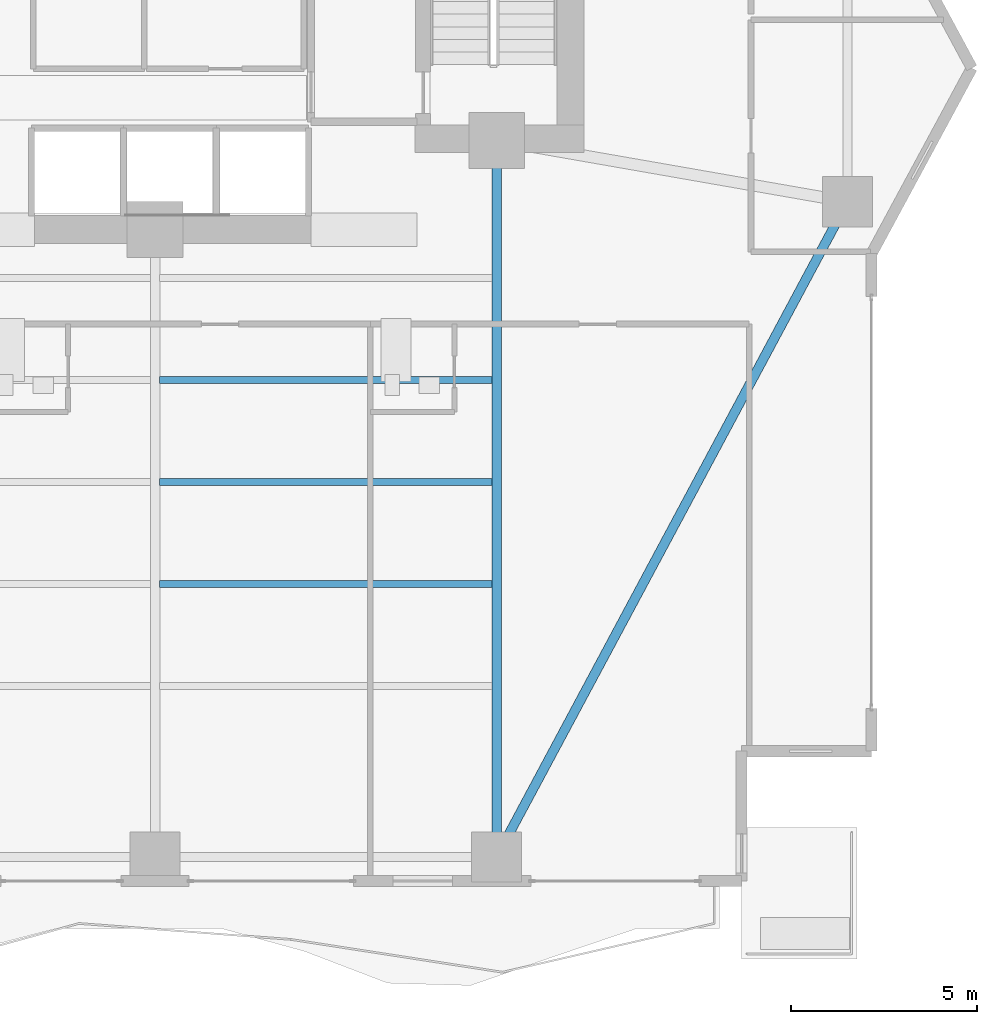
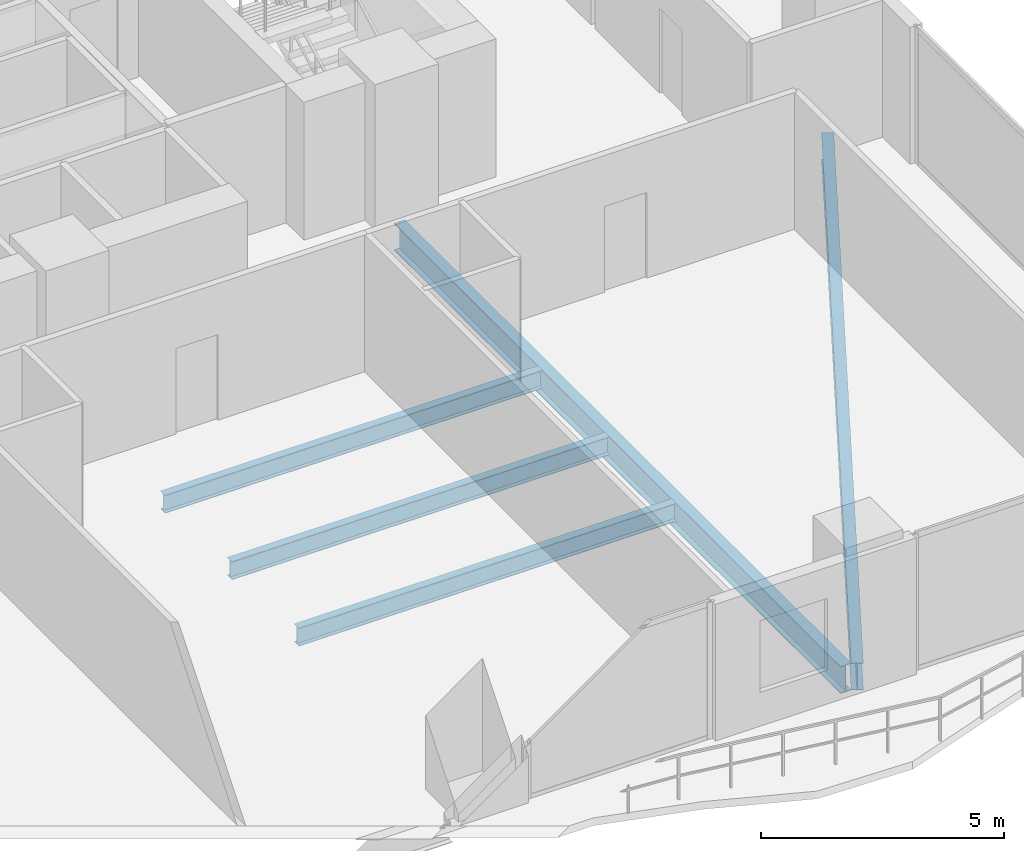
# One storey, part 10 of 30: 5 beams.
"""IFC4 building model written with IfcOpenShell, lengths in metres."""

from ifc_helpers import new_model, si_unit, direction, frame, origin, origin_2d, place, context, subcontext, project, spatial, i_section, extrude, material, material_profile, profile_set, type_object, element, save


model = new_model("IFC4")

# Units and contexts
model_context = context("Model", 3, precision=1e-05, world=origin(), true_north=direction((0.0, 1.0)))
body_context = subcontext(model_context, "Body", "Model", "MODEL_VIEW")
ifc_project = project(units=[si_unit("LENGTHUNIT", "METRE"), si_unit("AREAUNIT", "SQUARE_METRE"), si_unit("VOLUMEUNIT", "CUBIC_METRE"), si_unit("PLANEANGLEUNIT", "RADIAN"), si_unit("MASSUNIT", "GRAM", prefix="KILO")], contexts=[model_context])

# Site, building, storey
site_placement = place(None, origin())
site = spatial("IfcSite", under=ifc_project, at=site_placement, CompositionType="ELEMENT")
building_placement = place(site_placement, origin())
building = spatial("IfcBuilding", under=site, at=building_placement, Name="Zuhayl Quay Hotel", CompositionType="ELEMENT")
storey_placement = place(building_placement, frame((0.0, 0.0, 135.800048828125)))
storey = spatial("IfcBuildingStorey", under=building, at=storey_placement, Name="L34", CompositionType="ELEMENT", Elevation=135.800048828125)

# Beams
ifc_material = material(Name="Steel ASTM A992 Grade 50", Category="steel")
ifc_material_profile_1 = material_profile(ifc_material, i_section(OverallWidth=0.25390625, OverallDepth=0.68310546875, WebThickness=0.012451171875, FlangeThickness=0.018798828125, at=origin_2d()), Name="W27X94")
ifc_profile_set_1 = profile_set([ifc_material_profile_1], Name="Steel ASTM A992 Grade 50")
beam_type_1 = type_object("IfcBeamType", Name="BM_B2_W27X94", PredefinedType="BEAM", material=ifc_profile_set_1)
beam_1_placement = place(storey_placement, frame((14.035888671875, -14.30908203125, -0.5615234375), z_axis=(0.472017301959, 0.88158928456, 0.0), x_axis=(-0.88158928456, 0.472017301959, 0.0)))
element("IfcBeam", 1, at=beam_1_placement, inside=storey, type_object=beam_type_1, Name="L34 Floor Beam RG_L34_04", PredefinedType="BEAM", context=body_context, shape_type="SweptSolid", body=[
    extrude(i_section(OverallWidth=0.25390625, OverallDepth=0.68310546875, WebThickness=0.012451171875, FlangeThickness=0.018798828125, at=origin_2d()), origin(), (0.0, 0.0, 1.0), 19.0205078125),
])
beam_2_placement = place(storey_placement, frame((13.800048828125, -14.25, -0.5615234375), z_axis=(0.0, 1.0, 0.0), x_axis=(-1.0, 0.0, 0.0)))
element("IfcBeam", 2, at=beam_2_placement, inside=storey, type_object=beam_type_1, Name="L34 Floor Beam FG_S_L34_4", PredefinedType="BEAM", context=body_context, shape_type="SweptSolid", body=[
    extrude(i_section(OverallWidth=0.25390625, OverallDepth=0.68310546875, WebThickness=0.012451171875, FlangeThickness=0.018798828125, at=origin_2d()), origin(), (0.0, 0.0, 1.0), 18.35009765625),
])
ifc_material_profile_2 = material_profile(ifc_material, i_section(OverallWidth=0.18994140625, OverallDepth=0.45703125, WebThickness=0.009033203125, FlangeThickness=0.014404296875, at=origin_2d()), Name="W18X50")
ifc_profile_set_2 = profile_set([ifc_material_profile_2], Name="Steel ASTM A992 Grade 50")
beam_type_2 = type_object("IfcBeamType", Name="BM_J2_W18X50", PredefinedType="JOIST", material=ifc_profile_set_2)
for number, where, z_axis, x_axis, name in (
    (3, (4.718994140625, -7.39990234375, -0.448486328125), (1.0, 0.0, 0.0), (0.0, 1.0, 0.0), "L34 Floor Beam FJ_L34_6_3"),
    (4, (4.718994140625, -4.64990234375, -0.448486328125), (1.0, 0.0, 0.0), (0.0, 1.0, 0.0), "L34 Floor Beam FJ_L34_7_3"),
    (5, (4.718994140625, -1.89990234375, -0.448486328125), (1.0, 0.0, 0.0), (0.0, 1.0, 0.0), "L34 Floor Beam FJ_L34_8_3"),
):
    element("IfcBeam", number, at=place(storey_placement, frame(where, z_axis=z_axis, x_axis=x_axis)), inside=storey, type_object=beam_type_2, Name=name, PredefinedType="JOIST", context=body_context, shape_type="SweptSolid", body=[
        extrude(i_section(OverallWidth=0.18994140625, OverallDepth=0.45703125, WebThickness=0.009033203125, FlangeThickness=0.014404296875, at=origin_2d()), origin(), (0.0, 0.0, 1.0), 8.9619140625),
    ])

save(model, "model.ifc")
